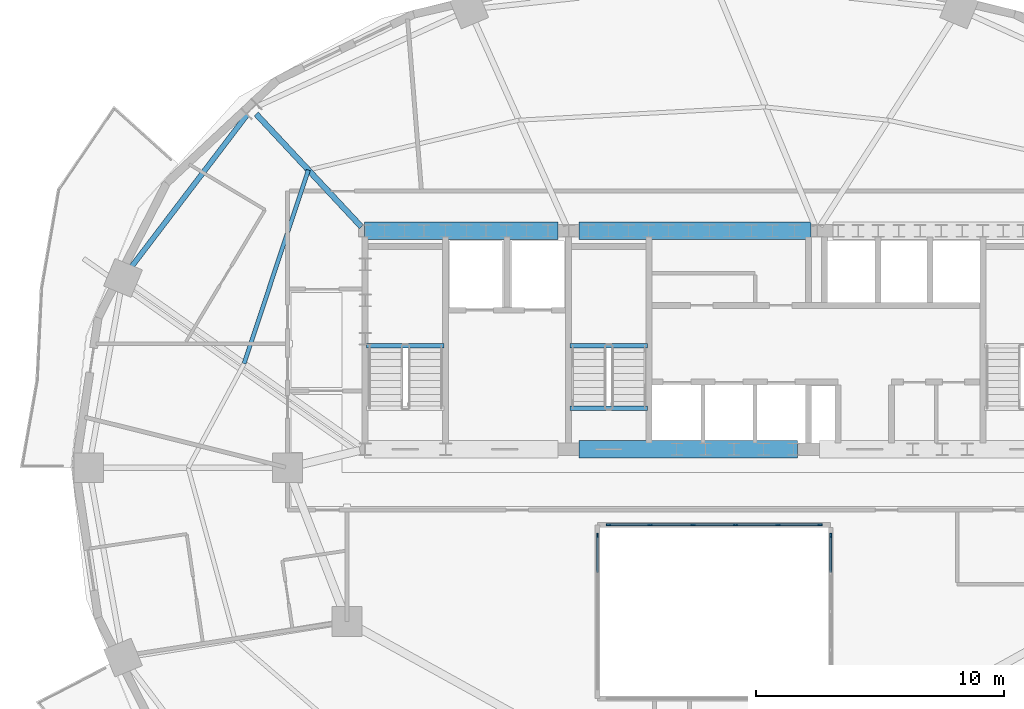
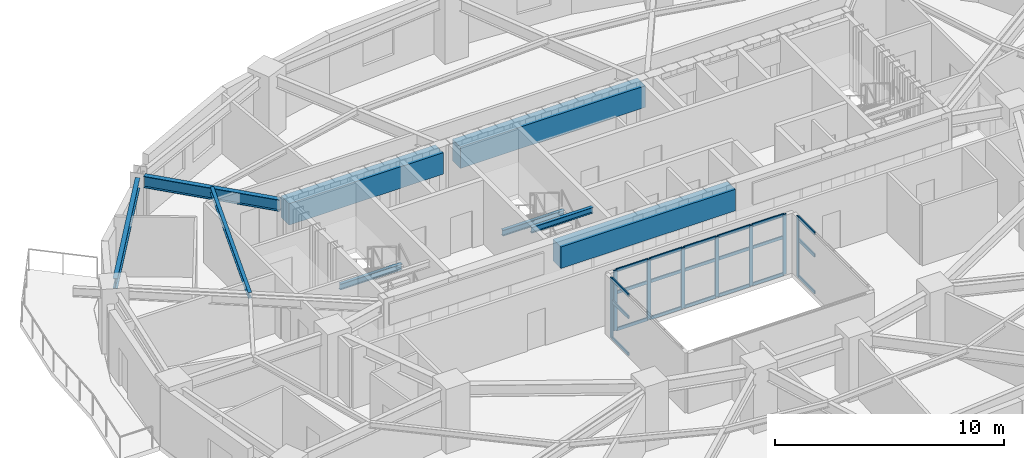
# One storey, part 3 of 12: 29 members, 9 beams, 3 elements without a shape of their own.
"""IFC4 building model written with IfcOpenShell, lengths in metres."""

from ifc_helpers import new_model, si_unit, direction, frame, origin, origin_2d, place, context, subcontext, project, spatial, rectangle, i_section, extrude, material, material_profile, profile_set, type_object, element, aggregate, save


model = new_model("IFC4")

# Units and contexts
model_context = context("Model", 3, precision=1e-05, world=origin(), true_north=direction((0.0, 1.0)))
body_context = subcontext(model_context, "Body", "Model", "MODEL_VIEW")
ifc_project = project(units=[si_unit("LENGTHUNIT", "METRE"), si_unit("AREAUNIT", "SQUARE_METRE"), si_unit("VOLUMEUNIT", "CUBIC_METRE"), si_unit("PLANEANGLEUNIT", "RADIAN"), si_unit("MASSUNIT", "GRAM", prefix="KILO")], contexts=[model_context])

# Site, building, storey
site_placement = place(None, origin())
site = spatial("IfcSite", under=ifc_project, at=site_placement, CompositionType="ELEMENT")
building_placement = place(site_placement, origin())
building = spatial("IfcBuilding", under=site, at=building_placement, Name="Haldorwick Loom Tower", CompositionType="ELEMENT")
storey_placement = place(building_placement, frame((0.0, 0.0, 157.89990234375)))
storey = spatial("IfcBuildingStorey", under=building, at=storey_placement, Name="L42", CompositionType="ELEMENT", Elevation=157.89990234375)

# Curtain wall, members
ifc_material_1 = material(Name="Thermally Broken Anodized Aluminium Curtain Wall Framing", Category="aluminium")
curtain_wall_type = type_object("IfcCurtainWallType", Name="ARC-CW-03", PredefinedType="NOTDEFINED", material=ifc_material_1)
curtain_wall_1_placement = place(storey_placement, origin())
curtain_wall_1 = element("IfcCurtainWall", 1, at=curtain_wall_1_placement, inside=storey, type_object=curtain_wall_type, Name="L42 Atrium Glazed Screen N", PredefinedType="NOTDEFINED")
ifc_material_profile_1 = material_profile(ifc_material_1, rectangle(XDim=0.06591796875, YDim=0.18505859375, at=origin_2d()), Name="ALU_MUL_66X185", Category="aluminium")
ifc_profile_set_1 = profile_set([ifc_material_profile_1], Name="Thermally Broken Anodized Aluminium Curtain Wall Framing")
member_type_1 = type_object("IfcMemberType", Name="ARC-CWM-03", PredefinedType="MULLION", material=ifc_profile_set_1)
member_1_placement = place(storey_placement, frame((31.73291015625, 23.699951171875, 0.0), z_axis=(0.0, 0.0, 1.0), x_axis=(0.0, 1.0, 0.0)))
member_1 = element("IfcMember", 2, at=member_1_placement, type_object=member_type_1, Name="CW-03 mullion 1", PredefinedType="MULLION", context=body_context, shape_type="SweptSolid", body=[
    extrude(rectangle(XDim=0.06591796875, YDim=0.18505859375, at=origin_2d()), origin(), (0.0, 0.0, 1.0), 3.210205078125),
])
member_2_placement = place(storey_placement, frame((33.419921875, 23.699951171875, 0.0), z_axis=(0.0, 0.0, 1.0), x_axis=(0.0, 1.0, 0.0)))
member_2 = element("IfcMember", 3, at=member_2_placement, type_object=member_type_1, Name="CW-03 mullion 2", PredefinedType="MULLION", context=body_context, shape_type="SweptSolid", body=[
    extrude(rectangle(XDim=0.06591796875, YDim=0.18505859375, at=origin_2d()), origin(), (0.0, 0.0, 1.0), 3.210205078125),
])
member_3_placement = place(storey_placement, frame((35.139892578125, 23.699951171875, 0.0), z_axis=(0.0, 0.0, 1.0), x_axis=(0.0, 1.0, 0.0)))
member_3 = element("IfcMember", 4, at=member_3_placement, type_object=member_type_1, Name="CW-03 mullion 3", PredefinedType="MULLION", context=body_context, shape_type="SweptSolid", body=[
    extrude(rectangle(XDim=0.06591796875, YDim=0.18505859375, at=origin_2d()), origin(), (0.0, 0.0, 1.0), 3.210205078125),
])
member_4_placement = place(storey_placement, frame((36.860107421875, 23.699951171875, 0.0), z_axis=(0.0, 0.0, 1.0), x_axis=(0.0, 1.0, 0.0)))
member_4 = element("IfcMember", 5, at=member_4_placement, type_object=member_type_1, Name="CW-03 mullion 4", PredefinedType="MULLION", context=body_context, shape_type="SweptSolid", body=[
    extrude(rectangle(XDim=0.06591796875, YDim=0.18505859375, at=origin_2d()), origin(), (0.0, 0.0, 1.0), 3.210205078125),
])
member_5_placement = place(storey_placement, frame((38.580078125, 23.699951171875, 0.0), z_axis=(0.0, 0.0, 1.0), x_axis=(0.0, 1.0, 0.0)))
member_5 = element("IfcMember", 6, at=member_5_placement, type_object=member_type_1, Name="CW-03 mullion 5", PredefinedType="MULLION", context=body_context, shape_type="SweptSolid", body=[
    extrude(rectangle(XDim=0.06591796875, YDim=0.18505859375, at=origin_2d()), origin(), (0.0, 0.0, 1.0), 3.210205078125),
])
member_6_placement = place(storey_placement, frame((40.26708984375, 23.699951171875, 0.0), z_axis=(0.0, 0.0, 1.0), x_axis=(0.0, 1.0, 0.0)))
member_6 = element("IfcMember", 7, at=member_6_placement, type_object=member_type_1, Name="CW-03 mullion 6", PredefinedType="MULLION", context=body_context, shape_type="SweptSolid", body=[
    extrude(rectangle(XDim=0.06591796875, YDim=0.18505859375, at=origin_2d()), origin(), (0.0, 0.0, 1.0), 3.210205078125),
])

# Curtain wall, member
curtain_wall_2_placement = place(storey_placement, origin())
curtain_wall_2 = element("IfcCurtainWall", 8, at=curtain_wall_2_placement, inside=storey, type_object=curtain_wall_type, Name="L42 Atrium Glazed Screen W", PredefinedType="NOTDEFINED")
member_7_placement = place(storey_placement, frame((31.300048828125, 23.26708984375, 0.0), z_axis=(0.0, 0.0, 1.0), x_axis=(-1.0, 0.0, 0.0)))
member_7 = element("IfcMember", 9, at=member_7_placement, type_object=member_type_1, Name="CW-03 mullion 5", PredefinedType="MULLION", context=body_context, shape_type="SweptSolid", body=[
    extrude(rectangle(XDim=0.06591796875, YDim=0.18505859375, at=origin_2d()), origin(), (0.0, 0.0, 1.0), 3.210205078125),
])

curtain_wall_3_placement = place(storey_placement, origin())
curtain_wall_3 = element("IfcCurtainWall", 10, at=curtain_wall_3_placement, inside=storey, type_object=curtain_wall_type, Name="L42 Atrium Glazed Screen E", PredefinedType="NOTDEFINED")
member_8_placement = place(storey_placement, frame((40.699951171875, 23.26708984375, 0.0), z_axis=(0.0, 0.0, 1.0), x_axis=(1.0, 0.0, 0.0)))
member_8 = element("IfcMember", 11, at=member_8_placement, type_object=member_type_1, Name="CW-03 mullion 1", PredefinedType="MULLION", context=body_context, shape_type="SweptSolid", body=[
    extrude(rectangle(XDim=0.06591796875, YDim=0.18505859375, at=origin_2d()), origin(), (0.0, 0.0, 1.0), 3.210205078125),
])

# Member
ifc_material_profile_2 = material_profile(ifc_material_1, rectangle(XDim=0.06591796875, YDim=0.1650390625, at=origin_2d()), Name="ALU_TRN_66X165", Category="aluminium")
ifc_profile_set_2 = profile_set([ifc_material_profile_2], Name="Thermally Broken Anodized Aluminium Curtain Wall Framing")
member_type_2 = type_object("IfcMemberType", Name="ARC-CWT-03", PredefinedType="USERDEFINED", material=ifc_profile_set_2)
member_9_placement = place(storey_placement, frame((31.76611328125, 23.699951171875, 0.033203125), z_axis=(1.0, 0.0, 0.0), x_axis=(0.0, 1.0, 0.0)))
member_9 = element("IfcMember", 12, at=member_9_placement, type_object=member_type_2, Name="CW-03 transom 1.1", ObjectType="TRANSOM", PredefinedType="USERDEFINED", context=body_context, shape_type="SweptSolid", body=[
    extrude(rectangle(XDim=0.06591796875, YDim=0.1650390625, at=origin_2d()), origin(), (0.0, 0.0, 1.0), 1.620849609375),
])

member_10_placement = place(storey_placement, frame((31.76611328125, 23.699951171875, 2.0), z_axis=(1.0, 0.0, 0.0), x_axis=(0.0, 1.0, 0.0)))
member_10 = element("IfcMember", 13, at=member_10_placement, type_object=member_type_2, Name="CW-03 transom 1.2", ObjectType="TRANSOM", PredefinedType="USERDEFINED", context=body_context, shape_type="SweptSolid", body=[
    extrude(rectangle(XDim=0.06591796875, YDim=0.1650390625, at=origin_2d()), origin(), (0.0, 0.0, 1.0), 1.620849609375),
])

member_11_placement = place(storey_placement, frame((31.76611328125, 23.699951171875, 3.177001953125), z_axis=(1.0, 0.0, 0.0), x_axis=(0.0, 1.0, 0.0)))
member_11 = element("IfcMember", 14, at=member_11_placement, type_object=member_type_2, Name="CW-03 transom 1.3", ObjectType="TRANSOM", PredefinedType="USERDEFINED", context=body_context, shape_type="SweptSolid", body=[
    extrude(rectangle(XDim=0.06591796875, YDim=0.1650390625, at=origin_2d()), origin(), (0.0, 0.0, 1.0), 1.620849609375),
])

member_12_placement = place(storey_placement, frame((33.452880859375, 23.699951171875, 0.033203125), z_axis=(1.0, 0.0, 0.0), x_axis=(0.0, 1.0, 0.0)))
member_12 = element("IfcMember", 15, at=member_12_placement, type_object=member_type_2, Name="CW-03 transom 2.1", ObjectType="TRANSOM", PredefinedType="USERDEFINED", context=body_context, shape_type="SweptSolid", body=[
    extrude(rectangle(XDim=0.06591796875, YDim=0.1650390625, at=origin_2d()), origin(), (0.0, 0.0, 1.0), 1.654052734375),
])

member_13_placement = place(storey_placement, frame((33.452880859375, 23.699951171875, 2.0), z_axis=(1.0, 0.0, 0.0), x_axis=(0.0, 1.0, 0.0)))
member_13 = element("IfcMember", 16, at=member_13_placement, type_object=member_type_2, Name="CW-03 transom 2.2", ObjectType="TRANSOM", PredefinedType="USERDEFINED", context=body_context, shape_type="SweptSolid", body=[
    extrude(rectangle(XDim=0.06591796875, YDim=0.1650390625, at=origin_2d()), origin(), (0.0, 0.0, 1.0), 1.654052734375),
])

member_14_placement = place(storey_placement, frame((33.452880859375, 23.699951171875, 3.177001953125), z_axis=(1.0, 0.0, 0.0), x_axis=(0.0, 1.0, 0.0)))
member_14 = element("IfcMember", 17, at=member_14_placement, type_object=member_type_2, Name="CW-03 transom 2.3", ObjectType="TRANSOM", PredefinedType="USERDEFINED", context=body_context, shape_type="SweptSolid", body=[
    extrude(rectangle(XDim=0.06591796875, YDim=0.1650390625, at=origin_2d()), origin(), (0.0, 0.0, 1.0), 1.654052734375),
])

member_15_placement = place(storey_placement, frame((35.173095703125, 23.699951171875, 0.033203125), z_axis=(1.0, 0.0, 0.0), x_axis=(0.0, 1.0, 0.0)))
member_15 = element("IfcMember", 18, at=member_15_placement, type_object=member_type_2, Name="CW-03 transom 3.1", ObjectType="TRANSOM", PredefinedType="USERDEFINED", context=body_context, shape_type="SweptSolid", body=[
    extrude(rectangle(XDim=0.06591796875, YDim=0.1650390625, at=origin_2d()), origin(), (0.0, 0.0, 1.0), 1.65380859375),
])

member_16_placement = place(storey_placement, frame((35.173095703125, 23.699951171875, 2.0), z_axis=(1.0, 0.0, 0.0), x_axis=(0.0, 1.0, 0.0)))
member_16 = element("IfcMember", 19, at=member_16_placement, type_object=member_type_2, Name="CW-03 transom 3.2", ObjectType="TRANSOM", PredefinedType="USERDEFINED", context=body_context, shape_type="SweptSolid", body=[
    extrude(rectangle(XDim=0.06591796875, YDim=0.1650390625, at=origin_2d()), origin(), (0.0, 0.0, 1.0), 1.65380859375),
])

member_17_placement = place(storey_placement, frame((35.173095703125, 23.699951171875, 3.177001953125), z_axis=(1.0, 0.0, 0.0), x_axis=(0.0, 1.0, 0.0)))
member_17 = element("IfcMember", 20, at=member_17_placement, type_object=member_type_2, Name="CW-03 transom 3.3", ObjectType="TRANSOM", PredefinedType="USERDEFINED", context=body_context, shape_type="SweptSolid", body=[
    extrude(rectangle(XDim=0.06591796875, YDim=0.1650390625, at=origin_2d()), origin(), (0.0, 0.0, 1.0), 1.65380859375),
])

member_18_placement = place(storey_placement, frame((36.89306640625, 23.699951171875, 0.033203125), z_axis=(1.0, 0.0, 0.0), x_axis=(0.0, 1.0, 0.0)))
member_18 = element("IfcMember", 21, at=member_18_placement, type_object=member_type_2, Name="CW-03 transom 4.1", ObjectType="TRANSOM", PredefinedType="USERDEFINED", context=body_context, shape_type="SweptSolid", body=[
    extrude(rectangle(XDim=0.06591796875, YDim=0.1650390625, at=origin_2d()), origin(), (0.0, 0.0, 1.0), 1.654052734375),
])

member_19_placement = place(storey_placement, frame((36.89306640625, 23.699951171875, 2.0), z_axis=(1.0, 0.0, 0.0), x_axis=(0.0, 1.0, 0.0)))
member_19 = element("IfcMember", 22, at=member_19_placement, type_object=member_type_2, Name="CW-03 transom 4.2", ObjectType="TRANSOM", PredefinedType="USERDEFINED", context=body_context, shape_type="SweptSolid", body=[
    extrude(rectangle(XDim=0.06591796875, YDim=0.1650390625, at=origin_2d()), origin(), (0.0, 0.0, 1.0), 1.654052734375),
])

member_20_placement = place(storey_placement, frame((36.89306640625, 23.699951171875, 3.177001953125), z_axis=(1.0, 0.0, 0.0), x_axis=(0.0, 1.0, 0.0)))
member_20 = element("IfcMember", 23, at=member_20_placement, type_object=member_type_2, Name="CW-03 transom 4.3", ObjectType="TRANSOM", PredefinedType="USERDEFINED", context=body_context, shape_type="SweptSolid", body=[
    extrude(rectangle(XDim=0.06591796875, YDim=0.1650390625, at=origin_2d()), origin(), (0.0, 0.0, 1.0), 1.654052734375),
])

member_21_placement = place(storey_placement, frame((38.613037109375, 23.699951171875, 0.033203125), z_axis=(1.0, 0.0, 0.0), x_axis=(0.0, 1.0, 0.0)))
member_21 = element("IfcMember", 24, at=member_21_placement, type_object=member_type_2, Name="CW-03 transom 5.1", ObjectType="TRANSOM", PredefinedType="USERDEFINED", context=body_context, shape_type="SweptSolid", body=[
    extrude(rectangle(XDim=0.06591796875, YDim=0.1650390625, at=origin_2d()), origin(), (0.0, 0.0, 1.0), 1.620849609375),
])

member_22_placement = place(storey_placement, frame((38.613037109375, 23.699951171875, 2.0), z_axis=(1.0, 0.0, 0.0), x_axis=(0.0, 1.0, 0.0)))
member_22 = element("IfcMember", 25, at=member_22_placement, type_object=member_type_2, Name="CW-03 transom 5.2", ObjectType="TRANSOM", PredefinedType="USERDEFINED", context=body_context, shape_type="SweptSolid", body=[
    extrude(rectangle(XDim=0.06591796875, YDim=0.1650390625, at=origin_2d()), origin(), (0.0, 0.0, 1.0), 1.620849609375),
])

member_23_placement = place(storey_placement, frame((38.613037109375, 23.699951171875, 3.177001953125), z_axis=(1.0, 0.0, 0.0), x_axis=(0.0, 1.0, 0.0)))
member_23 = element("IfcMember", 26, at=member_23_placement, type_object=member_type_2, Name="CW-03 transom 5.3", ObjectType="TRANSOM", PredefinedType="USERDEFINED", context=body_context, shape_type="SweptSolid", body=[
    extrude(rectangle(XDim=0.06591796875, YDim=0.1650390625, at=origin_2d()), origin(), (0.0, 0.0, 1.0), 1.620849609375),
])

aggregate(curtain_wall_1, [member_1, member_2, member_3, member_4, member_5, member_6, member_9, member_10, member_11, member_12, member_13, member_14, member_15, member_16, member_17, member_18, member_19, member_20, member_21, member_22, member_23])

member_24_placement = place(storey_placement, frame((31.300048828125, 21.782958984375, 0.033203125), z_axis=(0.0, 1.0, 0.0), x_axis=(-1.0, 0.0, 0.0)))
member_24 = element("IfcMember", 27, at=member_24_placement, type_object=member_type_2, Name="CW-03 transom 4.1", ObjectType="TRANSOM", PredefinedType="USERDEFINED", context=body_context, shape_type="SweptSolid", body=[
    extrude(rectangle(XDim=0.06591796875, YDim=0.1650390625, at=origin_2d()), origin(), (0.0, 0.0, 1.0), 1.450927734375),
])

member_25_placement = place(storey_placement, frame((31.300048828125, 21.782958984375, 2.0), z_axis=(0.0, 1.0, 0.0), x_axis=(-1.0, 0.0, 0.0)))
member_25 = element("IfcMember", 28, at=member_25_placement, type_object=member_type_2, Name="CW-03 transom 4.2", ObjectType="TRANSOM", PredefinedType="USERDEFINED", context=body_context, shape_type="SweptSolid", body=[
    extrude(rectangle(XDim=0.06591796875, YDim=0.1650390625, at=origin_2d()), origin(), (0.0, 0.0, 1.0), 1.450927734375),
])

member_26_placement = place(storey_placement, frame((31.300048828125, 21.782958984375, 3.177001953125), z_axis=(0.0, 1.0, 0.0), x_axis=(-1.0, 0.0, 0.0)))
member_26 = element("IfcMember", 29, at=member_26_placement, type_object=member_type_2, Name="CW-03 transom 4.3", ObjectType="TRANSOM", PredefinedType="USERDEFINED", context=body_context, shape_type="SweptSolid", body=[
    extrude(rectangle(XDim=0.06591796875, YDim=0.1650390625, at=origin_2d()), origin(), (0.0, 0.0, 1.0), 1.450927734375),
])

aggregate(curtain_wall_2, [member_7, member_24, member_25, member_26])

member_27_placement = place(storey_placement, frame((40.699951171875, 23.23388671875, 0.033203125), z_axis=(0.0, -1.0, 0.0), x_axis=(1.0, 0.0, 0.0)))
member_27 = element("IfcMember", 30, at=member_27_placement, type_object=member_type_2, Name="CW-03 transom 1.1", ObjectType="TRANSOM", PredefinedType="USERDEFINED", context=body_context, shape_type="SweptSolid", body=[
    extrude(rectangle(XDim=0.06591796875, YDim=0.1650390625, at=origin_2d()), origin(), (0.0, 0.0, 1.0), 1.450927734375),
])

member_28_placement = place(storey_placement, frame((40.699951171875, 23.23388671875, 2.0), z_axis=(0.0, -1.0, 0.0), x_axis=(1.0, 0.0, 0.0)))
member_28 = element("IfcMember", 31, at=member_28_placement, type_object=member_type_2, Name="CW-03 transom 1.2", ObjectType="TRANSOM", PredefinedType="USERDEFINED", context=body_context, shape_type="SweptSolid", body=[
    extrude(rectangle(XDim=0.06591796875, YDim=0.1650390625, at=origin_2d()), origin(), (0.0, 0.0, 1.0), 1.450927734375),
])

member_29_placement = place(storey_placement, frame((40.699951171875, 23.23388671875, 3.177001953125), z_axis=(0.0, -1.0, 0.0), x_axis=(1.0, 0.0, 0.0)))
member_29 = element("IfcMember", 32, at=member_29_placement, type_object=member_type_2, Name="CW-03 transom 1.3", ObjectType="TRANSOM", PredefinedType="USERDEFINED", context=body_context, shape_type="SweptSolid", body=[
    extrude(rectangle(XDim=0.06591796875, YDim=0.1650390625, at=origin_2d()), origin(), (0.0, 0.0, 1.0), 1.450927734375),
])

aggregate(curtain_wall_3, [member_8, member_27, member_28, member_29])

# Beams
ifc_material_2 = material(Name="Concrete C60 (60 MPa)", Category="concrete")
ifc_material_profile_3 = material_profile(ifc_material_2, rectangle(XDim=0.699951171875, YDim=1.14990234375, at=origin_2d()), Name="RC700X1150", Category="concrete")
ifc_profile_set_3 = profile_set([ifc_material_profile_3], Name="Concrete C60 (60 MPa)")
beam_type_1 = type_object("IfcBeamType", Name="STR-BM-CB1150", PredefinedType="LINTEL", material=ifc_profile_set_3)
beam_1_placement = place(storey_placement, frame((21.89990234375, 35.550048828125, 2.635009765625), z_axis=(1.0, 0.0, 0.0), x_axis=(0.0, 1.0, 0.0)))
element("IfcBeam", 33, at=beam_1_placement, inside=storey, type_object=beam_type_1, Name="L42 Core Coupling Beam CB-N1", PredefinedType="LINTEL", context=body_context, shape_type="SweptSolid", body=[
    extrude(rectangle(XDim=0.699951171875, YDim=1.14990234375, at=origin_2d()), origin(), (0.0, 0.0, 1.0), 7.800048828125),
])
beam_2_placement = place(storey_placement, frame((30.550048828125, 35.550048828125, 2.635009765625), z_axis=(1.0, 0.0, 0.0), x_axis=(0.0, 1.0, 0.0)))
element("IfcBeam", 34, at=beam_2_placement, inside=storey, type_object=beam_type_1, Name="L42 Core Coupling Beam CB-N2", PredefinedType="LINTEL", context=body_context, shape_type="SweptSolid", body=[
    extrude(rectangle(XDim=0.699951171875, YDim=1.14990234375, at=origin_2d()), origin(), (0.0, 0.0, 1.0), 9.349853515625),
])
beam_3_placement = place(storey_placement, frame((30.550048828125, 26.75, 2.635009765625), z_axis=(1.0, 0.0, 0.0), x_axis=(0.0, 1.0, 0.0)))
element("IfcBeam", 35, at=beam_3_placement, inside=storey, type_object=beam_type_1, Name="L42 Core Coupling Beam CB-S2", PredefinedType="LINTEL", context=body_context, shape_type="SweptSolid", body=[
    extrude(rectangle(XDim=0.699951171875, YDim=1.14990234375, at=origin_2d()), origin(), (0.0, 0.0, 1.0), 8.800048828125),
])
ifc_material_3 = material(Name="Steel CSA G40.21 350W", Category="steel")
ifc_material_profile_4 = material_profile(ifc_material_3, i_section(OverallWidth=0.166015625, OverallDepth=0.31298828125, WebThickness=0.006591796875, FlangeThickness=0.01123046875, at=origin_2d()), Name="W310X45", Category="steel")
ifc_profile_set_4 = profile_set([ifc_material_profile_4], Name="Steel CSA G40.21 350W")
beam_type_2 = type_object("IfcBeamType", Name="STR-BM-J310", PredefinedType="JOIST", material=ifc_profile_set_4)
beam_4_placement = place(storey_placement, frame((19.63720703125, 38.007080078125, 3.0537109375), z_axis=(-0.314980632705, -0.949098098734, 0.0), x_axis=(0.949098098734, -0.314980632705, 0.0)))
element("IfcBeam", 36, at=beam_4_placement, inside=storey, type_object=beam_type_2, Name="L42 Mid-Bay Secondary Joist 7", PredefinedType="JOIST", context=body_context, shape_type="SweptSolid", body=[
    extrude(i_section(OverallWidth=0.166015625, OverallDepth=0.31298828125, WebThickness=0.006591796875, FlangeThickness=0.01123046875, at=origin_2d()), origin(), (0.0, 0.0, 1.0), 8.223876953125),
])
ifc_material_profile_5 = material_profile(ifc_material_3, i_section(OverallWidth=0.2119140625, OverallDepth=0.5439453125, WebThickness=0.01318359375, FlangeThickness=0.021240234375, at=origin_2d()), Name="W530X123", Category="steel")
ifc_profile_set_5 = profile_set([ifc_material_profile_5], Name="Steel CSA G40.21 350W")
beam_type_3 = type_object("IfcBeamType", Name="STR-BM-SP530", PredefinedType="SPANDREL", material=ifc_profile_set_5)
beam_5_placement = place(storey_placement, frame((17.177978515625, 40.245361328125, 2.93798828125), z_axis=(-0.605421356486, -0.795905133236, 0.0), x_axis=(0.795905133236, -0.605421356486, 0.0)))
element("IfcBeam", 37, at=beam_5_placement, inside=storey, type_object=beam_type_3, Name="L42 Perimeter Spandrel 7", PredefinedType="SPANDREL", context=body_context, shape_type="SweptSolid", body=[
    extrude(i_section(OverallWidth=0.2119140625, OverallDepth=0.5439453125, WebThickness=0.01318359375, FlangeThickness=0.021240234375, at=origin_2d()), origin(), (0.0, 0.0, 1.0), 7.761962890625),
])
ifc_material_profile_6 = material_profile(ifc_material_3, i_section(OverallWidth=0.166015625, OverallDepth=0.31298828125, WebThickness=0.006591796875, FlangeThickness=0.01123046875, at=origin_2d()), Name="W310X45", Category="steel")
ifc_profile_set_6 = profile_set([ifc_material_profile_6], Name="Steel CSA G40.21 350W")
beam_type_4 = type_object("IfcBeamType", Name="STR-BM-STRM", PredefinedType="BEAM", material=ifc_profile_set_6)
for number, where, z_axis, x_axis, name in (
    (38, (21.989990234375, 30.919921875, 1.36865234375), (1.0, 0.0, 0.0), (0.0, 1.0, 0.0), "L42 Stair ST-01 Half-Landing Trimmer 1"),
    (39, (30.18994140625, 28.39990234375, 3.0537109375), (1.0, 0.0, 0.0), (0.0, 1.0, 0.0), "L42 Stair ST-03 Landing Edge Trimmer"),
    (40, (30.18994140625, 30.919921875, 1.36865234375), (1.0, 0.0, 0.0), (0.0, 1.0, 0.0), "L42 Stair ST-03 Half-Landing Trimmer 1"),
):
    element("IfcBeam", number, at=place(storey_placement, frame(where, z_axis=z_axis, x_axis=x_axis)), inside=storey, type_object=beam_type_4, Name=name, PredefinedType="BEAM", context=body_context, shape_type="SweptSolid", body=[
        extrude(i_section(OverallWidth=0.166015625, OverallDepth=0.31298828125, WebThickness=0.006591796875, FlangeThickness=0.01123046875, at=origin_2d()), origin(), (0.0, 0.0, 1.0), 3.1201171875),
    ])
ifc_material_profile_7 = material_profile(ifc_material_3, i_section(OverallWidth=0.22998046875, OverallDepth=0.616943359375, WebThickness=0.01318359375, FlangeThickness=0.022216796875, at=origin_2d()), Name="W610X140", Category="steel")
ifc_profile_set_7 = profile_set([ifc_material_profile_7], Name="Steel CSA G40.21 350W")
beam_type_5 = type_object("IfcBeamType", Name="STR-BM-W610B", PredefinedType="BEAM", material=ifc_profile_set_7)
beam_6_placement = place(storey_placement, frame((21.776611328125, 35.714599609375, 2.901611328125), z_axis=(-0.682256728841, 0.731112683484, 0.0), x_axis=(-0.731112683484, -0.682256728841, 0.0)))
element("IfcBeam", 41, at=beam_6_placement, inside=storey, type_object=beam_type_5, Name="L42 Radial Floor Girder 7", PredefinedType="BEAM", context=body_context, shape_type="SweptSolid", body=[
    extrude(i_section(OverallWidth=0.22998046875, OverallDepth=0.616943359375, WebThickness=0.01318359375, FlangeThickness=0.022216796875, at=origin_2d()), origin(), (0.0, 0.0, 1.0), 6.221435546875),
])

save(model, "model.ifc")
